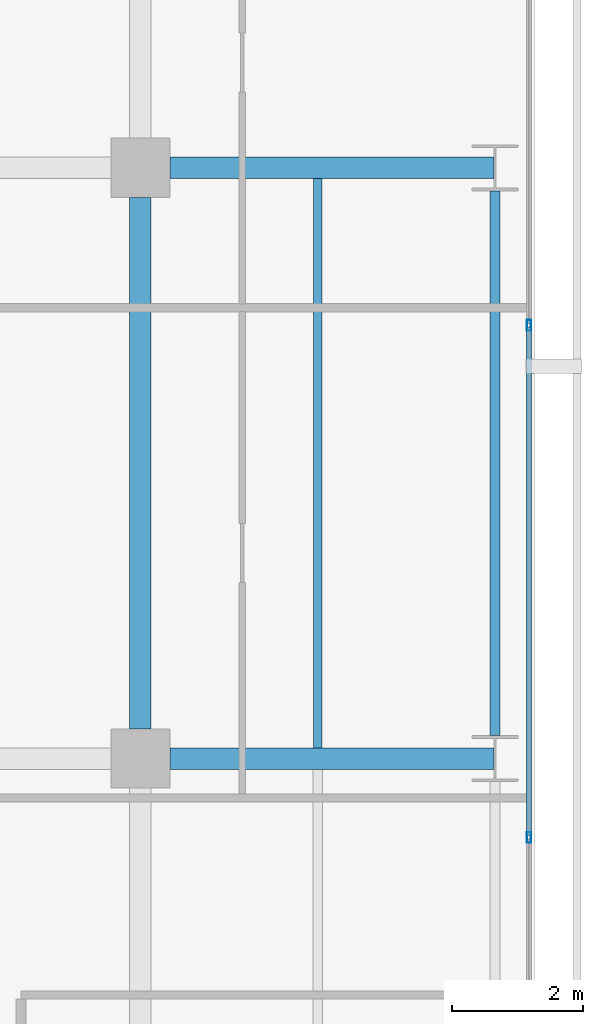
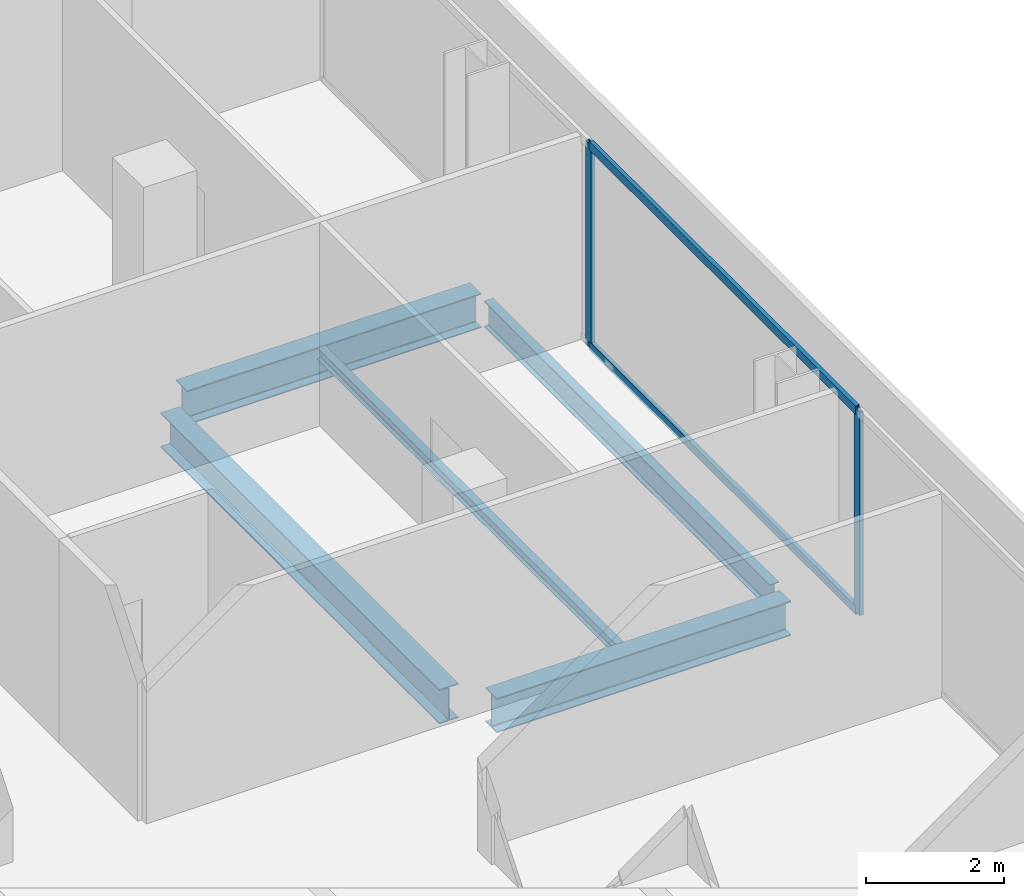
# One storey, part 28 of 40: 5 beams, 4 members, 1 element without a shape of its own.
"""IFC4 building model written with IfcOpenShell, lengths in metres."""

from ifc_helpers import new_model, si_unit, direction, frame, origin, origin_2d, place, context, subcontext, project, spatial, hollow_rectangle, i_section, extrude, material, layer, layer_set, material_profile, profile_set, type_object, element, aggregate, save


model = new_model("IFC4")

# Units and contexts
model_context = context("Model", 3, precision=1e-05, world=origin(), true_north=direction((0.0, 1.0)))
body_context = subcontext(model_context, "Body", "Model", "MODEL_VIEW")
ifc_project = project(units=[si_unit("LENGTHUNIT", "METRE"), si_unit("AREAUNIT", "SQUARE_METRE"), si_unit("VOLUMEUNIT", "CUBIC_METRE"), si_unit("PLANEANGLEUNIT", "RADIAN"), si_unit("MASSUNIT", "GRAM", prefix="KILO")], contexts=[model_context])

# Site, building, storey
site_placement = place(None, origin())
site = spatial("IfcSite", under=ifc_project, at=site_placement, CompositionType="ELEMENT")
building_placement = place(site_placement, origin())
building = spatial("IfcBuilding", under=site, at=building_placement, Name="Maruvema Waterfront Hotel and Observation Tower", CompositionType="ELEMENT")
storey_placement = place(building_placement, frame((0.0, 0.0, 100.10009765625)))
storey = spatial("IfcBuildingStorey", under=building, at=storey_placement, Name="L24", CompositionType="ELEMENT", Elevation=100.10009765625)

# Curtain wall, members
ifc_material_1 = material(Name="Anodised bronze aluminium and solar-control low-E IGU", Category="aluminium")
ifc_layer = layer(ifc_material_1, 0.159912109375, Name="Zone 1 Bronze Inner Thermal Curtain Wall System CW-02")
ifc_layer_set = layer_set([ifc_layer], Name="Anodised bronze aluminium and solar-control low-E IGU")
curtain_wall_type = type_object("IfcCurtainWallType", Name="Zone 1 Bronze Inner Thermal Curtain Wall System CW-02", PredefinedType="USERDEFINED", material=ifc_layer_set)
curtain_wall_placement = place(storey_placement, origin())
curtain_wall = element("IfcCurtainWall", 1, at=curtain_wall_placement, inside=storey, type_object=curtain_wall_type, Name="L24 Curtain Wall CW-L24-E", ObjectType="UNITISED CURTAIN WALL", PredefinedType="USERDEFINED")
ifc_material_2 = material(Name="Anodised architectural bronze aluminium", Category="aluminium")
ifc_material_profile_1 = material_profile(ifc_material_2, hollow_rectangle(XDim=0.070068359375, YDim=0.14990234375, WallThickness=0.00390625, at=origin_2d()), Name="ALU-T70x150")
ifc_profile_set_1 = profile_set([ifc_material_profile_1], Name="Anodised architectural bronze aluminium")
member_type_1 = type_object("IfcMemberType", Name="Curtain Wall Horizontal Transom ALU-T70x150", PredefinedType="USERDEFINED", material=ifc_profile_set_1)
member_1_placement = place(storey_placement, frame((64.719970703125, 34.830078125, 0.02978515625), z_axis=(0.0, 1.0, 0.0), x_axis=(-1.0, 0.0, 0.0)))
member_1 = element("IfcMember", 2, at=member_1_placement, type_object=member_type_1, Name="CW-02 transom 5.1", ObjectType="TRANSOM", PredefinedType="USERDEFINED", context=body_context, shape_type="SweptSolid", body=[
    extrude(hollow_rectangle(XDim=0.070068359375, YDim=0.14990234375, WallThickness=0.00390625, at=origin_2d()), origin(), (0.0, 0.0, 1.0), 7.739990234375),
])
member_2_placement = place(storey_placement, frame((64.719970703125, 34.830078125, 3.579833984375), z_axis=(0.0, 1.0, 0.0), x_axis=(-1.0, 0.0, 0.0)))
member_2 = element("IfcMember", 3, at=member_2_placement, type_object=member_type_1, Name="CW-02 transom 5.2", ObjectType="TRANSOM", PredefinedType="USERDEFINED", context=body_context, shape_type="SweptSolid", body=[
    extrude(hollow_rectangle(XDim=0.070068359375, YDim=0.14990234375, WallThickness=0.00390625, at=origin_2d()), origin(), (0.0, 0.0, 1.0), 7.739990234375),
])
ifc_material_3 = material(Name="Anodised architectural bronze aluminium", Category="aluminium")
ifc_material_profile_2 = material_profile(ifc_material_3, hollow_rectangle(XDim=0.06494140625, YDim=0.1650390625, WallThickness=0.00390625, at=origin_2d()), Name="ALU-M65x165")
ifc_profile_set_2 = profile_set([ifc_material_profile_2], Name="Anodised architectural bronze aluminium")
member_type_2 = type_object("IfcMemberType", Name="Curtain Wall Primary Mullion ALU-M65x165", PredefinedType="MULLION", material=ifc_profile_set_2)
member_3_placement = place(storey_placement, frame((64.719970703125, 34.800048828125, 0.0), z_axis=(0.0, 0.0, 1.0), x_axis=(-1.0, 0.0, 0.0)))
member_3 = element("IfcMember", 4, at=member_3_placement, type_object=member_type_2, Name="CW-02 mullion 5", PredefinedType="MULLION", context=body_context, shape_type="SweptSolid", body=[
    extrude(hollow_rectangle(XDim=0.06494140625, YDim=0.1650390625, WallThickness=0.00390625, at=origin_2d()), origin(), (0.0, 0.0, 1.0), 3.60986328125),
])
member_4_placement = place(storey_placement, frame((64.719970703125, 42.60009765625, 0.0), z_axis=(0.0, 0.0, 1.0), x_axis=(-1.0, 0.0, 0.0)))
member_4 = element("IfcMember", 5, at=member_4_placement, type_object=member_type_2, Name="CW-02 mullion 6", PredefinedType="MULLION", context=body_context, shape_type="SweptSolid", body=[
    extrude(hollow_rectangle(XDim=0.06494140625, YDim=0.1650390625, WallThickness=0.00390625, at=origin_2d()), origin(), (0.0, 0.0, 1.0), 3.60986328125),
])
aggregate(curtain_wall, [member_3, member_4, member_1, member_2])

# Beams
ifc_material_4 = material(Name="Steel ASTM A572 Grade 50", Category="steel")
ifc_material_profile_3 = material_profile(ifc_material_4, i_section(OverallWidth=0.153076171875, OverallDepth=0.455078125, WebThickness=0.008056640625, FlangeThickness=0.01318359375, FilletRadius=0.014892578125, at=origin_2d()), Name="W460x60.0")
ifc_profile_set_3 = profile_set([ifc_material_profile_3], Name="Steel ASTM A572 Grade 50")
beam_type_1 = type_object("IfcBeamType", Name="Perimeter Spandrel Beam W460x60.0", PredefinedType="SPANDREL", material=ifc_profile_set_3)
beam_1_placement = place(storey_placement, frame((64.199951171875, 36.35009765625, -0.467529296875), z_axis=(0.0, 1.0, 0.0), x_axis=(-1.0, 0.0, 0.0)))
element("IfcBeam", 6, at=beam_1_placement, inside=storey, type_object=beam_type_1, Name="L24 Floor Girder NS-36", PredefinedType="SPANDREL", context=body_context, shape_type="SweptSolid", body=[
    extrude(i_section(OverallWidth=0.153076171875, OverallDepth=0.455078125, WebThickness=0.008056640625, FlangeThickness=0.01318359375, FilletRadius=0.014892578125, at=origin_2d()), origin(), (0.0, 0.0, 1.0), 8.2998046875),
])
ifc_material_5 = material(Name="Steel ASTM A572 Grade 50", Category="steel")
ifc_material_profile_4 = material_profile(ifc_material_5, i_section(OverallWidth=0.323974609375, OverallDepth=0.611083984375, WebThickness=0.0126953125, FlangeThickness=0.01904296875, FilletRadius=0.01806640625, at=origin_2d()), Name="W610x155.0")
ifc_profile_set_4 = profile_set([ifc_material_profile_4], Name="Steel ASTM A572 Grade 50")
beam_type_2 = type_object("IfcBeamType", Name="Primary Floor Girder W610x155.0", PredefinedType="BEAM", material=ifc_profile_set_4)
for number, where, z_axis, x_axis, name in (
    (7, (59.25, 36.0, -0.545654296875), (1.0, 0.0, 0.0), (0.0, 1.0, 0.0), "L24 Floor Girder EW-31"),
    (8, (59.25, 45.0, -0.545654296875), (1.0, 0.0, 0.0), (0.0, 1.0, 0.0), "L24 Floor Girder EW-35"),
):
    element("IfcBeam", number, at=place(storey_placement, frame(where, z_axis=z_axis, x_axis=x_axis)), inside=storey, type_object=beam_type_2, Name=name, PredefinedType="BEAM", context=body_context, shape_type="SweptSolid", body=[
        extrude(i_section(OverallWidth=0.323974609375, OverallDepth=0.611083984375, WebThickness=0.0126953125, FlangeThickness=0.01904296875, FilletRadius=0.01806640625, at=origin_2d()), origin(), (0.0, 0.0, 1.0), 4.93603515625),
    ])
beam_2_placement = place(storey_placement, frame((58.800048828125, 36.449951171875, -0.545654296875), z_axis=(0.0, 1.0, 0.0), x_axis=(-1.0, 0.0, 0.0)))
element("IfcBeam", 9, at=beam_2_placement, inside=storey, type_object=beam_type_2, Name="L24 Floor Girder NS-31", PredefinedType="BEAM", context=body_context, shape_type="SweptSolid", body=[
    extrude(i_section(OverallWidth=0.323974609375, OverallDepth=0.611083984375, WebThickness=0.0126953125, FlangeThickness=0.01904296875, FilletRadius=0.01806640625, at=origin_2d()), origin(), (0.0, 0.0, 1.0), 8.10009765625),
])
ifc_material_6 = material(Name="Steel ASTM A572 Grade 50", Category="steel")
ifc_material_profile_5 = material_profile(ifc_material_6, i_section(OverallWidth=0.133056640625, OverallDepth=0.20703125, WebThickness=0.005859375, FlangeThickness=0.00830078125, FilletRadius=0.010009765625, at=origin_2d()), Name="W200x26.6")
ifc_profile_set_5 = profile_set([ifc_material_profile_5], Name="Steel ASTM A572 Grade 50")
beam_type_3 = type_object("IfcBeamType", Name="Secondary Floor Joist W200x26.6", PredefinedType="JOIST", material=ifc_profile_set_5)
beam_3_placement = place(storey_placement, frame((61.5, 36.162109375, -0.343505859375), z_axis=(0.0, 1.0, 0.0), x_axis=(-1.0, 0.0, 0.0)))
element("IfcBeam", 10, at=beam_3_placement, inside=storey, type_object=beam_type_3, Name="L24 Secondary Floor Joist JS-24", PredefinedType="JOIST", context=body_context, shape_type="SweptSolid", body=[
    extrude(i_section(OverallWidth=0.133056640625, OverallDepth=0.20703125, WebThickness=0.005859375, FlangeThickness=0.00830078125, FilletRadius=0.010009765625, at=origin_2d()), origin(), (0.0, 0.0, 1.0), 8.67578125),
])

save(model, "model.ifc")
